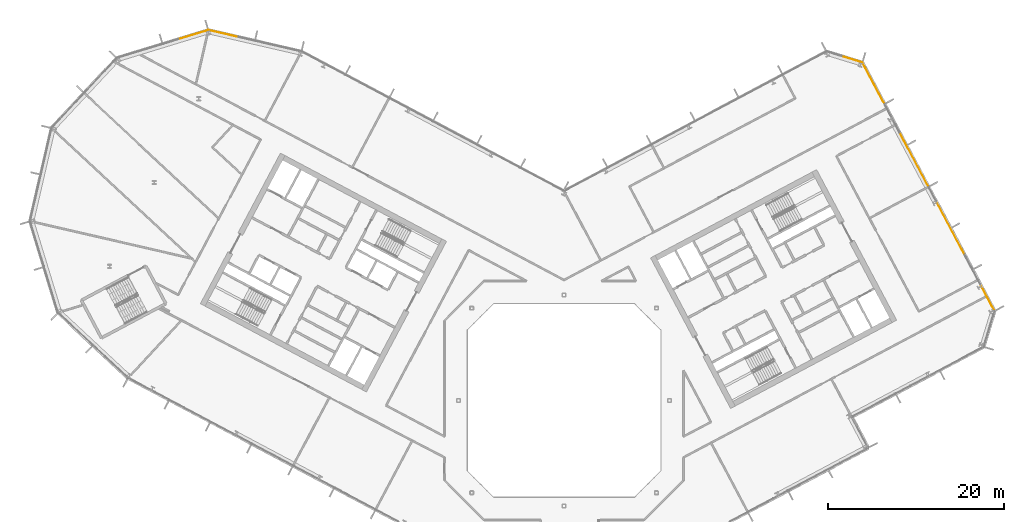
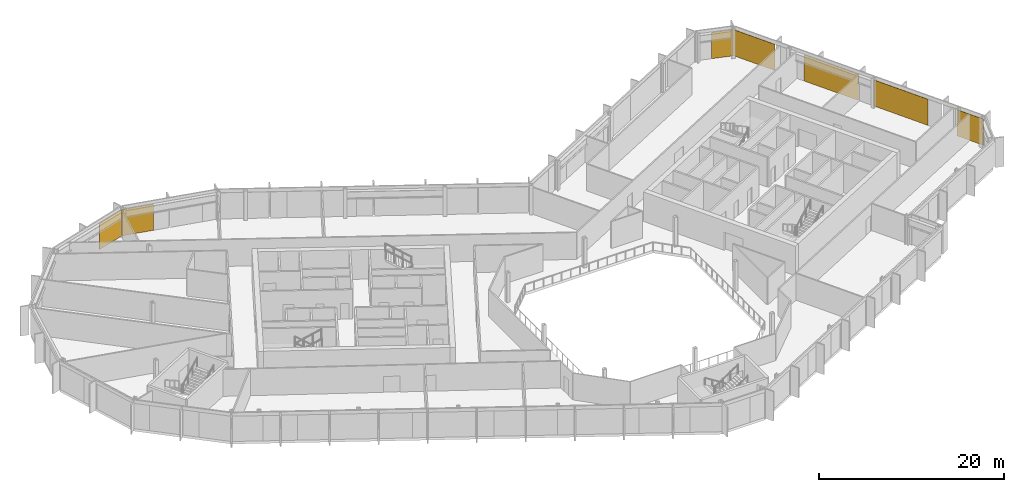
# One storey, part 26 of 26: 7 coverings, 4 elements without a shape of their own.
"""IFC4 building model written with IfcOpenShell, lengths in metres."""

from ifc_helpers import new_model, si_unit, direction, frame, origin, origin_2d, place, context, subcontext, project, spatial, rectangle, extrude, material, layer, layer_set, type_object, element, aggregate, save


model = new_model("IFC4")

# Units and contexts
model_context = context("Model", 3, precision=1e-05, world=origin(), true_north=direction((0.0, 1.0)))
body_context = subcontext(model_context, "Body", "Model", "MODEL_VIEW")
ifc_project = project(units=[si_unit("LENGTHUNIT", "METRE"), si_unit("AREAUNIT", "SQUARE_METRE"), si_unit("VOLUMEUNIT", "CUBIC_METRE"), si_unit("PLANEANGLEUNIT", "RADIAN"), si_unit("MASSUNIT", "GRAM", prefix="KILO")], contexts=[model_context])

# Site, building, storey
site_placement = place(None, origin())
site = spatial("IfcSite", under=ifc_project, at=site_placement, CompositionType="ELEMENT")
building_placement = place(site_placement, origin())
building = spatial("IfcBuilding", under=site, at=building_placement, Name="Cormorant Relay Tower", CompositionType="ELEMENT")
storey_placement = place(building_placement, frame((0.0, 0.0, 220.800048828125)))
storey = spatial("IfcBuildingStorey", under=building, at=storey_placement, Name="L48", CompositionType="ELEMENT", Elevation=220.800048828125)

# Curtain wall, coverings
ifc_material_1 = material(Name="Aluminium 6063-T6 anodised bronze", Category="aluminium")
ifc_layer_1 = layer(ifc_material_1, 0.199951171875)
ifc_layer_set_1 = layer_set([ifc_layer_1], Name="CW1 unitised bronze curtain wall with vertical fins")
curtain_wall_type = type_object("IfcCurtainWallType", Name="CW1 unitised bronze curtain wall with vertical fins", PredefinedType="NOTDEFINED", material=ifc_layer_set_1)
curtain_wall_1_placement = place(storey_placement, origin())
curtain_wall_1 = element("IfcCurtainWall", 1, at=curtain_wall_1_placement, inside=storey, type_object=curtain_wall_type, Name="CW1 curtain wall 6", PredefinedType="NOTDEFINED")
ifc_material_2 = material(Name="Pale bronze anodised aluminium insulated panel", Category="aluminium")
ifc_layer_2 = layer(ifc_material_2, 0.0400390625)
ifc_layer_set_2 = layer_set([ifc_layer_2], Name="CW1 pale bronze insulated panel 40")
covering_type = type_object("IfcCoveringType", Name="CW1 pale bronze insulated panel 40", PredefinedType="CLADDING", material=ifc_layer_set_2)
covering_1_placement = place(storey_placement, frame((48.142333984375, 11.74267578125, 0.0), z_axis=(0.0, 0.0, 1.0), x_axis=(-0.469471562786, 0.882947592859, 0.0)))
covering_1 = element("IfcCovering", 2, at=covering_1_placement, type_object=covering_type, Name="CW1 panel S00", PredefinedType="CLADDING", context=body_context, shape_type="SweptSolid", body=[
    extrude(rectangle(XDim=3.38330078125, YDim=0.0400390625, at=origin_2d()), origin(), (0.0, 0.0, 1.0), 3.449951171875),
])
covering_2_placement = place(storey_placement, frame((43.964111328125, 19.600830078125, 0.0), z_axis=(0.0, 0.0, 1.0), x_axis=(-0.469471562786, 0.882947592859, 0.0)))
covering_2 = element("IfcCovering", 3, at=covering_2_placement, type_object=covering_type, Name="CW1 panel S03", PredefinedType="CLADDING", context=body_context, shape_type="SweptSolid", body=[
    extrude(rectangle(XDim=6.916748046875, YDim=0.0400390625, at=origin_2d()), origin(), (0.0, 0.0, 1.0), 3.449951171875),
])
covering_3_placement = place(storey_placement, frame((39.801513671875, 27.4296875, 0.0), z_axis=(0.0, 0.0, 1.0), x_axis=(-0.469471562786, 0.882947592859, 0.0)))
covering_3 = element("IfcCovering", 4, at=covering_3_placement, type_object=covering_type, Name="CW1 panel S05", PredefinedType="CLADDING", context=body_context, shape_type="SweptSolid", body=[
    extrude(rectangle(XDim=6.916748046875, YDim=0.0400390625, at=origin_2d()), origin(), (0.0, 0.0, 1.0), 3.449951171875),
])
covering_4_placement = place(storey_placement, frame((35.18310546875, 36.11572265625, 0.0), z_axis=(0.0, 0.0, 1.0), x_axis=(-0.469471562786, 0.882947592859, 0.0)))
covering_4 = element("IfcCovering", 5, at=covering_4_placement, type_object=covering_type, Name="CW1 panel S07", PredefinedType="CLADDING", context=body_context, shape_type="SweptSolid", body=[
    extrude(rectangle(XDim=5.25830078125, YDim=0.0400390625, at=origin_2d()), origin(), (0.0, 0.0, 1.0), 3.449951171875),
])
aggregate(curtain_wall_1, [covering_1, covering_2, covering_3, covering_4])

# Curtain wall, covering
curtain_wall_2_placement = place(storey_placement, origin())
curtain_wall_2 = element("IfcCurtainWall", 6, at=curtain_wall_2_placement, inside=storey, type_object=curtain_wall_type, Name="CW1 curtain wall 7", PredefinedType="NOTDEFINED")
covering_5_placement = place(storey_placement, frame((32.73291015625, 38.81494140625, 0.0), z_axis=(0.0, 0.0, 1.0), x_axis=(-0.956304755963, 0.292371704723, 0.0)))
covering_5 = element("IfcCovering", 7, at=covering_5_placement, type_object=covering_type, Name="CW1 panel S00", PredefinedType="CLADDING", context=body_context, shape_type="SweptSolid", body=[
    extrude(rectangle(XDim=2.36767578125, YDim=0.0400390625, at=origin_2d()), origin(), (0.0, 0.0, 1.0), 3.449951171875),
])
aggregate(curtain_wall_2, [covering_5])

curtain_wall_3_placement = place(storey_placement, origin())
curtain_wall_3 = element("IfcCurtainWall", 8, at=curtain_wall_3_placement, inside=storey, type_object=curtain_wall_type, Name="CW1 curtain wall 10", PredefinedType="NOTDEFINED")
covering_6_placement = place(storey_placement, frame((-38.7265625, 41.732421875, 0.0), z_axis=(0.0, 0.0, 1.0), x_axis=(-0.974370064785, 0.224951054344, 0.0)))
covering_6 = element("IfcCovering", 9, at=covering_6_placement, type_object=covering_type, Name="CW1 panel S03", PredefinedType="CLADDING", context=body_context, shape_type="SweptSolid", body=[
    extrude(rectangle(XDim=3.560302734375, YDim=0.0400390625, at=origin_2d()), origin(), (0.0, 0.0, 1.0), 3.449951171875),
])
aggregate(curtain_wall_3, [covering_6])

curtain_wall_4_placement = place(storey_placement, origin())
curtain_wall_4 = element("IfcCurtainWall", 10, at=curtain_wall_4_placement, inside=storey, type_object=curtain_wall_type, Name="CW1 curtain wall 11", PredefinedType="NOTDEFINED")
covering_7_placement = place(storey_placement, frame((-42.209716796875, 41.60107421875, 0.0), z_axis=(0.0, 0.0, 1.0), x_axis=(-0.956304755963, -0.292371704723, 0.0)))
covering_7 = element("IfcCovering", 11, at=covering_7_placement, type_object=covering_type, Name="CW1 panel S00", PredefinedType="CLADDING", context=body_context, shape_type="SweptSolid", body=[
    extrude(rectangle(XDim=3.485107421875, YDim=0.0400390625, at=origin_2d()), origin(), (0.0, 0.0, 1.0), 3.449951171875),
])
aggregate(curtain_wall_4, [covering_7])

save(model, "model.ifc")
